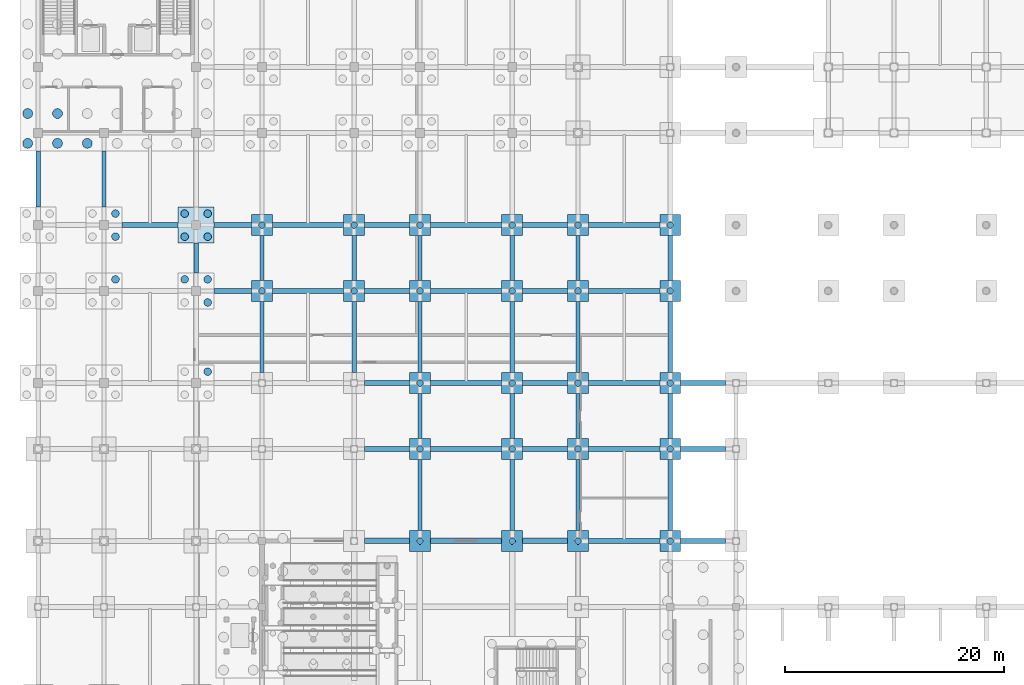
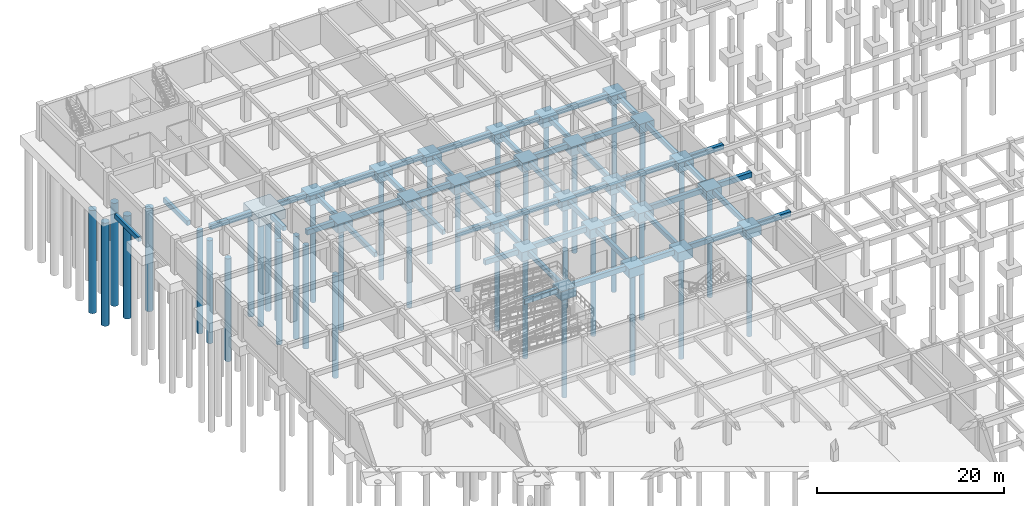
# One storey, part 7 of 40: 76 footings, 40 piles.
"""IFC4 building model written with IfcOpenShell, lengths in metres."""

from ifc_helpers import new_model, si_unit, direction, frame, origin, origin_2d, place, context, subcontext, project, spatial, rectangle, circle, extrude, material, material_profile, profile_set, type_object, element, save


model = new_model("IFC4")

# Units and contexts
model_context = context("Model", 3, precision=1e-05, world=origin(), true_north=direction((0.0, 1.0)))
body_context = subcontext(model_context, "Body", "Model", "MODEL_VIEW")
ifc_project = project(units=[si_unit("LENGTHUNIT", "METRE"), si_unit("AREAUNIT", "SQUARE_METRE"), si_unit("VOLUMEUNIT", "CUBIC_METRE"), si_unit("PLANEANGLEUNIT", "RADIAN"), si_unit("MASSUNIT", "GRAM", prefix="KILO"), si_unit("THERMODYNAMICTEMPERATUREUNIT", "KELVIN")], contexts=[model_context])

# Site, building, storey
site_placement = place(None, origin())
site = spatial("IfcSite", under=ifc_project, at=site_placement, CompositionType="ELEMENT")
building_placement = place(site_placement, origin())
building = spatial("IfcBuilding", under=site, at=building_placement, Name="Thalorik Housing Commons", CompositionType="ELEMENT")
storey_placement = place(building_placement, frame((0.0, 0.0, -4.199951171875)))
storey = spatial("IfcBuildingStorey", under=building, at=storey_placement, Name="B1", CompositionType="ELEMENT", Elevation=-4.199951171875)

# Footings
ifc_material = material(Name="Concrete C40/50", Category="concrete")
footing_type_1 = type_object("IfcFootingType", Name="STR-CAP-1900x1900", PredefinedType="PILE_CAP", material=ifc_material)
for number, where, z_axis, x_axis, name in (
    (1, (43.199951171875, 72.0, -1.64990234375), (0.0, 0.0, 1.0), (1.0, 0.0, 0.0), "B1 Pile Cap 165"),
    (2, (51.60009765625, 72.0, -1.64990234375), (0.0, 0.0, 1.0), (1.0, 0.0, 0.0), "B1 Pile Cap 166"),
    (3, (57.60009765625, 72.0, -1.64990234375), (0.0, 0.0, 1.0), (1.0, 0.0, 0.0), "B1 Pile Cap 167"),
    (4, (66.0, 72.0, -1.64990234375), (0.0, 0.0, 1.0), (1.0, 0.0, 0.0), "B1 Pile Cap 168"),
    (5, (43.199951171875, 80.39990234375, -1.64990234375), (0.0, 0.0, 1.0), (1.0, 0.0, 0.0), "B1 Pile Cap 181"),
    (6, (51.60009765625, 80.39990234375, -1.64990234375), (0.0, 0.0, 1.0), (1.0, 0.0, 0.0), "B1 Pile Cap 182"),
    (7, (57.60009765625, 80.39990234375, -1.64990234375), (0.0, 0.0, 1.0), (1.0, 0.0, 0.0), "B1 Pile Cap 183"),
    (8, (66.0, 80.39990234375, -1.64990234375), (0.0, 0.0, 1.0), (1.0, 0.0, 0.0), "B1 Pile Cap 184"),
    (9, (43.199951171875, 86.39990234375, -1.64990234375), (0.0, 0.0, 1.0), (1.0, 0.0, 0.0), "B1 Pile Cap 197"),
    (10, (51.60009765625, 86.39990234375, -1.64990234375), (0.0, 0.0, 1.0), (1.0, 0.0, 0.0), "B1 Pile Cap 198"),
    (11, (57.60009765625, 86.39990234375, -1.64990234375), (0.0, 0.0, 1.0), (1.0, 0.0, 0.0), "B1 Pile Cap 199"),
    (12, (66.0, 86.39990234375, -1.64990234375), (0.0, 0.0, 1.0), (1.0, 0.0, 0.0), "B1 Pile Cap 200"),
    (13, (28.800048828125, 94.800048828125, -1.64990234375), (0.0, 0.0, 1.0), (1.0, 0.0, 0.0), "B1 Pile Cap 215"),
    (14, (37.199951171875, 94.800048828125, -1.64990234375), (0.0, 0.0, 1.0), (1.0, 0.0, 0.0), "B1 Pile Cap 216"),
    (15, (43.199951171875, 94.800048828125, -1.64990234375), (0.0, 0.0, 1.0), (1.0, 0.0, 0.0), "B1 Pile Cap 217"),
    (16, (51.60009765625, 94.800048828125, -1.64990234375), (0.0, 0.0, 1.0), (1.0, 0.0, 0.0), "B1 Pile Cap 218"),
    (17, (57.60009765625, 94.800048828125, -1.64990234375), (0.0, 0.0, 1.0), (1.0, 0.0, 0.0), "B1 Pile Cap 219"),
    (18, (66.0, 94.800048828125, -1.64990234375), (0.0, 0.0, 1.0), (1.0, 0.0, 0.0), "B1 Pile Cap 220"),
    (19, (28.800048828125, 100.800048828125, -1.64990234375), (0.0, 0.0, 1.0), (1.0, 0.0, 0.0), "B1 Pile Cap 228"),
    (20, (37.199951171875, 100.800048828125, -1.64990234375), (0.0, 0.0, 1.0), (1.0, 0.0, 0.0), "B1 Pile Cap 229"),
    (21, (43.199951171875, 100.800048828125, -1.64990234375), (0.0, 0.0, 1.0), (1.0, 0.0, 0.0), "B1 Pile Cap 230"),
    (22, (51.60009765625, 100.800048828125, -1.64990234375), (0.0, 0.0, 1.0), (1.0, 0.0, 0.0), "B1 Pile Cap 231"),
    (23, (57.60009765625, 100.800048828125, -1.64990234375), (0.0, 0.0, 1.0), (1.0, 0.0, 0.0), "B1 Pile Cap 232"),
    (24, (66.0, 100.800048828125, -1.64990234375), (0.0, 0.0, 1.0), (1.0, 0.0, 0.0), "B1 Pile Cap 233"),
):
    element("IfcFooting", number, at=place(storey_placement, frame(where, z_axis=z_axis, x_axis=x_axis)), inside=storey, type_object=footing_type_1, Name=name, PredefinedType="PILE_CAP", context=body_context, shape_type="SweptSolid", body=[
        extrude(rectangle(XDim=1.89990234375, YDim=1.89990234375, at=origin_2d()), origin(), (0.0, 0.0, 1.0), 1.199951171875),
    ])
footing_type_2 = type_object("IfcFootingType", Name="STR-CAP-3300x3300", PredefinedType="PILE_CAP", material=ifc_material)
footing_1_placement = place(storey_placement, frame((22.800048828125, 100.800048828125, -1.64990234375), z_axis=(0.0, 0.0, 1.0), x_axis=(1.0, 0.0, 0.0)))
element("IfcFooting", 25, at=footing_1_placement, inside=storey, type_object=footing_type_2, Name="B1 Pile Cap 223", PredefinedType="PILE_CAP", context=body_context, shape_type="SweptSolid", body=[
    extrude(rectangle(XDim=3.300048828125, YDim=3.300048828125, at=origin_2d()), origin(), (0.0, 0.0, 1.0), 1.199951171875),
])
ifc_material_profile_1 = material_profile(ifc_material, rectangle(XDim=0.39990234375, YDim=0.60009765625, at=origin_2d()), Name="RC 400x600", Category="concrete")
ifc_profile_set_1 = profile_set([ifc_material_profile_1], Name="Concrete C40/50")
footing_type_3 = type_object("IfcFootingType", Name="STR-GB-400", PredefinedType="FOOTING_BEAM", material=ifc_profile_set_1)
for number, where, z_axis, x_axis, name in (
    (26, (8.39990234375, 102.449951171875, -0.75), (0.0, 1.0, 0.0), (-1.0, 0.0, 0.0), "B1 Ground Tie-Beam Y 274"),
    (27, (14.39990234375, 102.449951171875, -0.75), (0.0, 1.0, 0.0), (-1.0, 0.0, 0.0), "B1 Ground Tie-Beam Y 286"),
):
    element("IfcFooting", number, at=place(storey_placement, frame(where, z_axis=z_axis, x_axis=x_axis)), inside=storey, type_object=footing_type_3, Name=name, PredefinedType="FOOTING_BEAM", context=body_context, shape_type="SweptSolid", body=[
        extrude(rectangle(XDim=0.39990234375, YDim=0.60009765625, at=origin_2d()), origin(), (0.0, 0.0, 1.0), 5.10009765625),
    ])
footing_2_placement = place(storey_placement, frame((22.800048828125, 96.449951171875, -0.75), z_axis=(0.0, 1.0, 0.0), x_axis=(-1.0, 0.0, 0.0)))
element("IfcFooting", 28, at=footing_2_placement, inside=storey, type_object=footing_type_3, Name="B1 Ground Tie-Beam Y 297", PredefinedType="FOOTING_BEAM", context=body_context, shape_type="SweptSolid", body=[
    extrude(rectangle(XDim=0.39990234375, YDim=0.60009765625, at=origin_2d()), origin(), (0.0, 0.0, 1.0), 2.699951171875),
])
footing_3_placement = place(storey_placement, frame((28.800048828125, 87.35009765625, -0.75), z_axis=(0.0, 1.0, 0.0), x_axis=(-1.0, 0.0, 0.0)))
element("IfcFooting", 29, at=footing_3_placement, inside=storey, type_object=footing_type_3, Name="B1 Ground Tie-Beam Y 309", PredefinedType="FOOTING_BEAM", context=body_context, shape_type="SweptSolid", body=[
    extrude(rectangle(XDim=0.39990234375, YDim=0.60009765625, at=origin_2d()), origin(), (0.0, 0.0, 1.0), 6.5),
])
footing_4_placement = place(storey_placement, frame((28.800048828125, 95.75, -0.75), z_axis=(0.0, 1.0, 0.0), x_axis=(-1.0, 0.0, 0.0)))
element("IfcFooting", 30, at=footing_4_placement, inside=storey, type_object=footing_type_3, Name="B1 Ground Tie-Beam Y 310", PredefinedType="FOOTING_BEAM", context=body_context, shape_type="SweptSolid", body=[
    extrude(rectangle(XDim=0.39990234375, YDim=0.60009765625, at=origin_2d()), origin(), (0.0, 0.0, 1.0), 4.10009765625),
])
footing_5_placement = place(storey_placement, frame((37.199951171875, 87.35009765625, -0.75), z_axis=(0.0, 1.0, 0.0), x_axis=(-1.0, 0.0, 0.0)))
element("IfcFooting", 31, at=footing_5_placement, inside=storey, type_object=footing_type_3, Name="B1 Ground Tie-Beam Y 324", PredefinedType="FOOTING_BEAM", context=body_context, shape_type="SweptSolid", body=[
    extrude(rectangle(XDim=0.39990234375, YDim=0.60009765625, at=origin_2d()), origin(), (0.0, 0.0, 1.0), 6.5),
])
footing_6_placement = place(storey_placement, frame((37.199951171875, 95.75, -0.75), z_axis=(0.0, 1.0, 0.0), x_axis=(-1.0, 0.0, 0.0)))
element("IfcFooting", 32, at=footing_6_placement, inside=storey, type_object=footing_type_3, Name="B1 Ground Tie-Beam Y 325", PredefinedType="FOOTING_BEAM", context=body_context, shape_type="SweptSolid", body=[
    extrude(rectangle(XDim=0.39990234375, YDim=0.60009765625, at=origin_2d()), origin(), (0.0, 0.0, 1.0), 4.10009765625),
])
footing_7_placement = place(storey_placement, frame((43.199951171875, 72.949951171875, -0.75), z_axis=(0.0, 1.0, 0.0), x_axis=(-1.0, 0.0, 0.0)))
element("IfcFooting", 33, at=footing_7_placement, inside=storey, type_object=footing_type_3, Name="B1 Ground Tie-Beam Y 337", PredefinedType="FOOTING_BEAM", context=body_context, shape_type="SweptSolid", body=[
    extrude(rectangle(XDim=0.39990234375, YDim=0.60009765625, at=origin_2d()), origin(), (0.0, 0.0, 1.0), 6.5),
])
footing_8_placement = place(storey_placement, frame((43.199951171875, 81.35009765625, -0.75), z_axis=(0.0, 1.0, 0.0), x_axis=(-1.0, 0.0, 0.0)))
element("IfcFooting", 34, at=footing_8_placement, inside=storey, type_object=footing_type_3, Name="B1 Ground Tie-Beam Y 338", PredefinedType="FOOTING_BEAM", context=body_context, shape_type="SweptSolid", body=[
    extrude(rectangle(XDim=0.39990234375, YDim=0.60009765625, at=origin_2d()), origin(), (0.0, 0.0, 1.0), 4.099853515625),
])
footing_9_placement = place(storey_placement, frame((43.199951171875, 87.35009765625, -0.75), z_axis=(0.0, 1.0, 0.0), x_axis=(-1.0, 0.0, 0.0)))
element("IfcFooting", 35, at=footing_9_placement, inside=storey, type_object=footing_type_3, Name="B1 Ground Tie-Beam Y 339", PredefinedType="FOOTING_BEAM", context=body_context, shape_type="SweptSolid", body=[
    extrude(rectangle(XDim=0.39990234375, YDim=0.60009765625, at=origin_2d()), origin(), (0.0, 0.0, 1.0), 6.5),
])
footing_10_placement = place(storey_placement, frame((43.199951171875, 95.75, -0.75), z_axis=(0.0, 1.0, 0.0), x_axis=(-1.0, 0.0, 0.0)))
element("IfcFooting", 36, at=footing_10_placement, inside=storey, type_object=footing_type_3, Name="B1 Ground Tie-Beam Y 340", PredefinedType="FOOTING_BEAM", context=body_context, shape_type="SweptSolid", body=[
    extrude(rectangle(XDim=0.39990234375, YDim=0.60009765625, at=origin_2d()), origin(), (0.0, 0.0, 1.0), 4.10009765625),
])
footing_11_placement = place(storey_placement, frame((51.60009765625, 72.949951171875, -0.75), z_axis=(0.0, 1.0, 0.0), x_axis=(-1.0, 0.0, 0.0)))
element("IfcFooting", 37, at=footing_11_placement, inside=storey, type_object=footing_type_3, Name="B1 Ground Tie-Beam Y 352", PredefinedType="FOOTING_BEAM", context=body_context, shape_type="SweptSolid", body=[
    extrude(rectangle(XDim=0.39990234375, YDim=0.60009765625, at=origin_2d()), origin(), (0.0, 0.0, 1.0), 6.5),
])
footing_12_placement = place(storey_placement, frame((51.60009765625, 81.35009765625, -0.75), z_axis=(0.0, 1.0, 0.0), x_axis=(-1.0, 0.0, 0.0)))
element("IfcFooting", 38, at=footing_12_placement, inside=storey, type_object=footing_type_3, Name="B1 Ground Tie-Beam Y 353", PredefinedType="FOOTING_BEAM", context=body_context, shape_type="SweptSolid", body=[
    extrude(rectangle(XDim=0.39990234375, YDim=0.60009765625, at=origin_2d()), origin(), (0.0, 0.0, 1.0), 4.099853515625),
])
footing_13_placement = place(storey_placement, frame((51.60009765625, 87.35009765625, -0.75), z_axis=(0.0, 1.0, 0.0), x_axis=(-1.0, 0.0, 0.0)))
element("IfcFooting", 39, at=footing_13_placement, inside=storey, type_object=footing_type_3, Name="B1 Ground Tie-Beam Y 354", PredefinedType="FOOTING_BEAM", context=body_context, shape_type="SweptSolid", body=[
    extrude(rectangle(XDim=0.39990234375, YDim=0.60009765625, at=origin_2d()), origin(), (0.0, 0.0, 1.0), 6.5),
])
footing_14_placement = place(storey_placement, frame((51.60009765625, 95.75, -0.75), z_axis=(0.0, 1.0, 0.0), x_axis=(-1.0, 0.0, 0.0)))
element("IfcFooting", 40, at=footing_14_placement, inside=storey, type_object=footing_type_3, Name="B1 Ground Tie-Beam Y 355", PredefinedType="FOOTING_BEAM", context=body_context, shape_type="SweptSolid", body=[
    extrude(rectangle(XDim=0.39990234375, YDim=0.60009765625, at=origin_2d()), origin(), (0.0, 0.0, 1.0), 4.10009765625),
])
footing_15_placement = place(storey_placement, frame((57.60009765625, 72.949951171875, -0.75), z_axis=(0.0, 1.0, 0.0), x_axis=(-1.0, 0.0, 0.0)))
element("IfcFooting", 41, at=footing_15_placement, inside=storey, type_object=footing_type_3, Name="B1 Ground Tie-Beam Y 368", PredefinedType="FOOTING_BEAM", context=body_context, shape_type="SweptSolid", body=[
    extrude(rectangle(XDim=0.39990234375, YDim=0.60009765625, at=origin_2d()), origin(), (0.0, 0.0, 1.0), 6.5),
])
footing_16_placement = place(storey_placement, frame((57.60009765625, 81.35009765625, -0.75), z_axis=(0.0, 1.0, 0.0), x_axis=(-1.0, 0.0, 0.0)))
element("IfcFooting", 42, at=footing_16_placement, inside=storey, type_object=footing_type_3, Name="B1 Ground Tie-Beam Y 369", PredefinedType="FOOTING_BEAM", context=body_context, shape_type="SweptSolid", body=[
    extrude(rectangle(XDim=0.39990234375, YDim=0.60009765625, at=origin_2d()), origin(), (0.0, 0.0, 1.0), 4.099853515625),
])
footing_17_placement = place(storey_placement, frame((57.60009765625, 87.35009765625, -0.75), z_axis=(0.0, 1.0, 0.0), x_axis=(-1.0, 0.0, 0.0)))
element("IfcFooting", 43, at=footing_17_placement, inside=storey, type_object=footing_type_3, Name="B1 Ground Tie-Beam Y 370", PredefinedType="FOOTING_BEAM", context=body_context, shape_type="SweptSolid", body=[
    extrude(rectangle(XDim=0.39990234375, YDim=0.60009765625, at=origin_2d()), origin(), (0.0, 0.0, 1.0), 6.5),
])
footing_18_placement = place(storey_placement, frame((57.60009765625, 95.75, -0.75), z_axis=(0.0, 1.0, 0.0), x_axis=(-1.0, 0.0, 0.0)))
element("IfcFooting", 44, at=footing_18_placement, inside=storey, type_object=footing_type_3, Name="B1 Ground Tie-Beam Y 371", PredefinedType="FOOTING_BEAM", context=body_context, shape_type="SweptSolid", body=[
    extrude(rectangle(XDim=0.39990234375, YDim=0.60009765625, at=origin_2d()), origin(), (0.0, 0.0, 1.0), 4.10009765625),
])
footing_19_placement = place(storey_placement, frame((66.0, 72.949951171875, -0.75), z_axis=(0.0, 1.0, 0.0), x_axis=(-1.0, 0.0, 0.0)))
element("IfcFooting", 45, at=footing_19_placement, inside=storey, type_object=footing_type_3, Name="B1 Ground Tie-Beam Y 382", PredefinedType="FOOTING_BEAM", context=body_context, shape_type="SweptSolid", body=[
    extrude(rectangle(XDim=0.39990234375, YDim=0.60009765625, at=origin_2d()), origin(), (0.0, 0.0, 1.0), 6.5),
])
footing_20_placement = place(storey_placement, frame((66.0, 81.35009765625, -0.75), z_axis=(0.0, 1.0, 0.0), x_axis=(-1.0, 0.0, 0.0)))
element("IfcFooting", 46, at=footing_20_placement, inside=storey, type_object=footing_type_3, Name="B1 Ground Tie-Beam Y 383", PredefinedType="FOOTING_BEAM", context=body_context, shape_type="SweptSolid", body=[
    extrude(rectangle(XDim=0.39990234375, YDim=0.60009765625, at=origin_2d()), origin(), (0.0, 0.0, 1.0), 4.099853515625),
])
footing_21_placement = place(storey_placement, frame((66.0, 87.35009765625, -0.75), z_axis=(0.0, 1.0, 0.0), x_axis=(-1.0, 0.0, 0.0)))
element("IfcFooting", 47, at=footing_21_placement, inside=storey, type_object=footing_type_3, Name="B1 Ground Tie-Beam Y 384", PredefinedType="FOOTING_BEAM", context=body_context, shape_type="SweptSolid", body=[
    extrude(rectangle(XDim=0.39990234375, YDim=0.60009765625, at=origin_2d()), origin(), (0.0, 0.0, 1.0), 6.5),
])
footing_22_placement = place(storey_placement, frame((66.0, 95.75, -0.75), z_axis=(0.0, 1.0, 0.0), x_axis=(-1.0, 0.0, 0.0)))
element("IfcFooting", 48, at=footing_22_placement, inside=storey, type_object=footing_type_3, Name="B1 Ground Tie-Beam Y 385", PredefinedType="FOOTING_BEAM", context=body_context, shape_type="SweptSolid", body=[
    extrude(rectangle(XDim=0.39990234375, YDim=0.60009765625, at=origin_2d()), origin(), (0.0, 0.0, 1.0), 4.10009765625),
])
ifc_material_profile_2 = material_profile(ifc_material, rectangle(XDim=0.449951171875, YDim=0.64990234375, at=origin_2d()), Name="RC 450x650", Category="concrete")
ifc_profile_set_2 = profile_set([ifc_material_profile_2], Name="Concrete C40/50")
footing_type_4 = type_object("IfcFootingType", Name="STR-GB-500", PredefinedType="FOOTING_BEAM", material=ifc_profile_set_2)
footing_23_placement = place(storey_placement, frame((38.14990234375, 72.0, -0.775146484375), z_axis=(1.0, 0.0, 0.0), x_axis=(0.0, 1.0, 0.0)))
element("IfcFooting", 49, at=footing_23_placement, inside=storey, type_object=footing_type_4, Name="B1 Ground Tie-Beam X 147", PredefinedType="FOOTING_BEAM", context=body_context, shape_type="SweptSolid", body=[
    extrude(rectangle(XDim=0.449951171875, YDim=0.64990234375, at=origin_2d()), origin(), (0.0, 0.0, 1.0), 4.10009765625),
])
footing_24_placement = place(storey_placement, frame((44.14990234375, 72.0, -0.775146484375), z_axis=(1.0, 0.0, 0.0), x_axis=(0.0, 1.0, 0.0)))
element("IfcFooting", 50, at=footing_24_placement, inside=storey, type_object=footing_type_4, Name="B1 Ground Tie-Beam X 148", PredefinedType="FOOTING_BEAM", context=body_context, shape_type="SweptSolid", body=[
    extrude(rectangle(XDim=0.449951171875, YDim=0.64990234375, at=origin_2d()), origin(), (0.0, 0.0, 1.0), 6.5),
])
footing_25_placement = place(storey_placement, frame((52.550048828125, 72.0, -0.775146484375), z_axis=(1.0, 0.0, 0.0), x_axis=(0.0, 1.0, 0.0)))
element("IfcFooting", 51, at=footing_25_placement, inside=storey, type_object=footing_type_4, Name="B1 Ground Tie-Beam X 149", PredefinedType="FOOTING_BEAM", context=body_context, shape_type="SweptSolid", body=[
    extrude(rectangle(XDim=0.449951171875, YDim=0.64990234375, at=origin_2d()), origin(), (0.0, 0.0, 1.0), 4.099853515625),
])
footing_26_placement = place(storey_placement, frame((58.550048828125, 72.0, -0.775146484375), z_axis=(1.0, 0.0, 0.0), x_axis=(0.0, 1.0, 0.0)))
element("IfcFooting", 52, at=footing_26_placement, inside=storey, type_object=footing_type_4, Name="B1 Ground Tie-Beam X 150", PredefinedType="FOOTING_BEAM", context=body_context, shape_type="SweptSolid", body=[
    extrude(rectangle(XDim=0.449951171875, YDim=0.64990234375, at=origin_2d()), origin(), (0.0, 0.0, 1.0), 6.5),
])
for number, where, z_axis, x_axis, name in (
    (53, (66.949951171875, 72.0, -0.775146484375), (1.0, 0.0, 0.0), (0.0, 1.0, 0.0), "B1 Ground Tie-Beam X 151"),
    (54, (38.14990234375, 80.39990234375, -0.775146484375), (1.0, 0.0, 0.0), (0.0, 1.0, 0.0), "B1 Ground Tie-Beam X 160"),
):
    element("IfcFooting", number, at=place(storey_placement, frame(where, z_axis=z_axis, x_axis=x_axis)), inside=storey, type_object=footing_type_4, Name=name, PredefinedType="FOOTING_BEAM", context=body_context, shape_type="SweptSolid", body=[
        extrude(rectangle(XDim=0.449951171875, YDim=0.64990234375, at=origin_2d()), origin(), (0.0, 0.0, 1.0), 4.10009765625),
    ])
footing_27_placement = place(storey_placement, frame((44.14990234375, 80.39990234375, -0.775146484375), z_axis=(1.0, 0.0, 0.0), x_axis=(0.0, 1.0, 0.0)))
element("IfcFooting", 55, at=footing_27_placement, inside=storey, type_object=footing_type_4, Name="B1 Ground Tie-Beam X 161", PredefinedType="FOOTING_BEAM", context=body_context, shape_type="SweptSolid", body=[
    extrude(rectangle(XDim=0.449951171875, YDim=0.64990234375, at=origin_2d()), origin(), (0.0, 0.0, 1.0), 6.5),
])
footing_28_placement = place(storey_placement, frame((52.550048828125, 80.39990234375, -0.775146484375), z_axis=(1.0, 0.0, 0.0), x_axis=(0.0, 1.0, 0.0)))
element("IfcFooting", 56, at=footing_28_placement, inside=storey, type_object=footing_type_4, Name="B1 Ground Tie-Beam X 162", PredefinedType="FOOTING_BEAM", context=body_context, shape_type="SweptSolid", body=[
    extrude(rectangle(XDim=0.449951171875, YDim=0.64990234375, at=origin_2d()), origin(), (0.0, 0.0, 1.0), 4.099853515625),
])
footing_29_placement = place(storey_placement, frame((58.550048828125, 80.39990234375, -0.775146484375), z_axis=(1.0, 0.0, 0.0), x_axis=(0.0, 1.0, 0.0)))
element("IfcFooting", 57, at=footing_29_placement, inside=storey, type_object=footing_type_4, Name="B1 Ground Tie-Beam X 163", PredefinedType="FOOTING_BEAM", context=body_context, shape_type="SweptSolid", body=[
    extrude(rectangle(XDim=0.449951171875, YDim=0.64990234375, at=origin_2d()), origin(), (0.0, 0.0, 1.0), 6.5),
])
for number, where, z_axis, x_axis, name in (
    (58, (66.949951171875, 80.39990234375, -0.775146484375), (1.0, 0.0, 0.0), (0.0, 1.0, 0.0), "B1 Ground Tie-Beam X 164"),
    (59, (38.14990234375, 86.39990234375, -0.775146484375), (1.0, 0.0, 0.0), (0.0, 1.0, 0.0), "B1 Ground Tie-Beam X 173"),
):
    element("IfcFooting", number, at=place(storey_placement, frame(where, z_axis=z_axis, x_axis=x_axis)), inside=storey, type_object=footing_type_4, Name=name, PredefinedType="FOOTING_BEAM", context=body_context, shape_type="SweptSolid", body=[
        extrude(rectangle(XDim=0.449951171875, YDim=0.64990234375, at=origin_2d()), origin(), (0.0, 0.0, 1.0), 4.10009765625),
    ])
footing_30_placement = place(storey_placement, frame((44.14990234375, 86.39990234375, -0.775146484375), z_axis=(1.0, 0.0, 0.0), x_axis=(0.0, 1.0, 0.0)))
element("IfcFooting", 60, at=footing_30_placement, inside=storey, type_object=footing_type_4, Name="B1 Ground Tie-Beam X 174", PredefinedType="FOOTING_BEAM", context=body_context, shape_type="SweptSolid", body=[
    extrude(rectangle(XDim=0.449951171875, YDim=0.64990234375, at=origin_2d()), origin(), (0.0, 0.0, 1.0), 6.5),
])
footing_31_placement = place(storey_placement, frame((52.550048828125, 86.39990234375, -0.775146484375), z_axis=(1.0, 0.0, 0.0), x_axis=(0.0, 1.0, 0.0)))
element("IfcFooting", 61, at=footing_31_placement, inside=storey, type_object=footing_type_4, Name="B1 Ground Tie-Beam X 175", PredefinedType="FOOTING_BEAM", context=body_context, shape_type="SweptSolid", body=[
    extrude(rectangle(XDim=0.449951171875, YDim=0.64990234375, at=origin_2d()), origin(), (0.0, 0.0, 1.0), 4.099853515625),
])
footing_32_placement = place(storey_placement, frame((58.550048828125, 86.39990234375, -0.775146484375), z_axis=(1.0, 0.0, 0.0), x_axis=(0.0, 1.0, 0.0)))
element("IfcFooting", 62, at=footing_32_placement, inside=storey, type_object=footing_type_4, Name="B1 Ground Tie-Beam X 176", PredefinedType="FOOTING_BEAM", context=body_context, shape_type="SweptSolid", body=[
    extrude(rectangle(XDim=0.449951171875, YDim=0.64990234375, at=origin_2d()), origin(), (0.0, 0.0, 1.0), 6.5),
])
footing_33_placement = place(storey_placement, frame((66.949951171875, 86.39990234375, -0.775146484375), z_axis=(1.0, 0.0, 0.0), x_axis=(0.0, 1.0, 0.0)))
element("IfcFooting", 63, at=footing_33_placement, inside=storey, type_object=footing_type_4, Name="B1 Ground Tie-Beam X 177", PredefinedType="FOOTING_BEAM", context=body_context, shape_type="SweptSolid", body=[
    extrude(rectangle(XDim=0.449951171875, YDim=0.64990234375, at=origin_2d()), origin(), (0.0, 0.0, 1.0), 4.10009765625),
])
footing_34_placement = place(storey_placement, frame((24.449951171875, 94.800048828125, -0.775146484375), z_axis=(1.0, 0.0, 0.0), x_axis=(0.0, 1.0, 0.0)))
element("IfcFooting", 64, at=footing_34_placement, inside=storey, type_object=footing_type_4, Name="B1 Ground Tie-Beam X 189", PredefinedType="FOOTING_BEAM", context=body_context, shape_type="SweptSolid", body=[
    extrude(rectangle(XDim=0.449951171875, YDim=0.64990234375, at=origin_2d()), origin(), (0.0, 0.0, 1.0), 3.400146484375),
])
footing_35_placement = place(storey_placement, frame((29.75, 94.800048828125, -0.775146484375), z_axis=(1.0, 0.0, 0.0), x_axis=(0.0, 1.0, 0.0)))
element("IfcFooting", 65, at=footing_35_placement, inside=storey, type_object=footing_type_4, Name="B1 Ground Tie-Beam X 190", PredefinedType="FOOTING_BEAM", context=body_context, shape_type="SweptSolid", body=[
    extrude(rectangle(XDim=0.449951171875, YDim=0.64990234375, at=origin_2d()), origin(), (0.0, 0.0, 1.0), 6.5),
])
footing_36_placement = place(storey_placement, frame((38.14990234375, 94.800048828125, -0.775146484375), z_axis=(1.0, 0.0, 0.0), x_axis=(0.0, 1.0, 0.0)))
element("IfcFooting", 66, at=footing_36_placement, inside=storey, type_object=footing_type_4, Name="B1 Ground Tie-Beam X 191", PredefinedType="FOOTING_BEAM", context=body_context, shape_type="SweptSolid", body=[
    extrude(rectangle(XDim=0.449951171875, YDim=0.64990234375, at=origin_2d()), origin(), (0.0, 0.0, 1.0), 4.10009765625),
])
footing_37_placement = place(storey_placement, frame((44.14990234375, 94.800048828125, -0.775146484375), z_axis=(1.0, 0.0, 0.0), x_axis=(0.0, 1.0, 0.0)))
element("IfcFooting", 67, at=footing_37_placement, inside=storey, type_object=footing_type_4, Name="B1 Ground Tie-Beam X 192", PredefinedType="FOOTING_BEAM", context=body_context, shape_type="SweptSolid", body=[
    extrude(rectangle(XDim=0.449951171875, YDim=0.64990234375, at=origin_2d()), origin(), (0.0, 0.0, 1.0), 6.5),
])
footing_38_placement = place(storey_placement, frame((52.550048828125, 94.800048828125, -0.775146484375), z_axis=(1.0, 0.0, 0.0), x_axis=(0.0, 1.0, 0.0)))
element("IfcFooting", 68, at=footing_38_placement, inside=storey, type_object=footing_type_4, Name="B1 Ground Tie-Beam X 193", PredefinedType="FOOTING_BEAM", context=body_context, shape_type="SweptSolid", body=[
    extrude(rectangle(XDim=0.449951171875, YDim=0.64990234375, at=origin_2d()), origin(), (0.0, 0.0, 1.0), 4.099853515625),
])
footing_39_placement = place(storey_placement, frame((58.550048828125, 94.800048828125, -0.775146484375), z_axis=(1.0, 0.0, 0.0), x_axis=(0.0, 1.0, 0.0)))
element("IfcFooting", 69, at=footing_39_placement, inside=storey, type_object=footing_type_4, Name="B1 Ground Tie-Beam X 194", PredefinedType="FOOTING_BEAM", context=body_context, shape_type="SweptSolid", body=[
    extrude(rectangle(XDim=0.449951171875, YDim=0.64990234375, at=origin_2d()), origin(), (0.0, 0.0, 1.0), 6.5),
])
footing_40_placement = place(storey_placement, frame((16.050048828125, 100.800048828125, -0.775146484375), z_axis=(1.0, 0.0, 0.0), x_axis=(0.0, 1.0, 0.0)))
element("IfcFooting", 70, at=footing_40_placement, inside=storey, type_object=footing_type_4, Name="B1 Ground Tie-Beam X 199", PredefinedType="FOOTING_BEAM", context=body_context, shape_type="SweptSolid", body=[
    extrude(rectangle(XDim=0.449951171875, YDim=0.64990234375, at=origin_2d()), origin(), (0.0, 0.0, 1.0), 5.099853515625),
])
footing_41_placement = place(storey_placement, frame((24.449951171875, 100.800048828125, -0.775146484375), z_axis=(1.0, 0.0, 0.0), x_axis=(0.0, 1.0, 0.0)))
element("IfcFooting", 71, at=footing_41_placement, inside=storey, type_object=footing_type_4, Name="B1 Ground Tie-Beam X 200", PredefinedType="FOOTING_BEAM", context=body_context, shape_type="SweptSolid", body=[
    extrude(rectangle(XDim=0.449951171875, YDim=0.64990234375, at=origin_2d()), origin(), (0.0, 0.0, 1.0), 3.400146484375),
])
footing_42_placement = place(storey_placement, frame((29.75, 100.800048828125, -0.775146484375), z_axis=(1.0, 0.0, 0.0), x_axis=(0.0, 1.0, 0.0)))
element("IfcFooting", 72, at=footing_42_placement, inside=storey, type_object=footing_type_4, Name="B1 Ground Tie-Beam X 201", PredefinedType="FOOTING_BEAM", context=body_context, shape_type="SweptSolid", body=[
    extrude(rectangle(XDim=0.449951171875, YDim=0.64990234375, at=origin_2d()), origin(), (0.0, 0.0, 1.0), 6.5),
])
footing_43_placement = place(storey_placement, frame((38.14990234375, 100.800048828125, -0.775146484375), z_axis=(1.0, 0.0, 0.0), x_axis=(0.0, 1.0, 0.0)))
element("IfcFooting", 73, at=footing_43_placement, inside=storey, type_object=footing_type_4, Name="B1 Ground Tie-Beam X 202", PredefinedType="FOOTING_BEAM", context=body_context, shape_type="SweptSolid", body=[
    extrude(rectangle(XDim=0.449951171875, YDim=0.64990234375, at=origin_2d()), origin(), (0.0, 0.0, 1.0), 4.10009765625),
])
footing_44_placement = place(storey_placement, frame((44.14990234375, 100.800048828125, -0.775146484375), z_axis=(1.0, 0.0, 0.0), x_axis=(0.0, 1.0, 0.0)))
element("IfcFooting", 74, at=footing_44_placement, inside=storey, type_object=footing_type_4, Name="B1 Ground Tie-Beam X 203", PredefinedType="FOOTING_BEAM", context=body_context, shape_type="SweptSolid", body=[
    extrude(rectangle(XDim=0.449951171875, YDim=0.64990234375, at=origin_2d()), origin(), (0.0, 0.0, 1.0), 6.5),
])
footing_45_placement = place(storey_placement, frame((52.550048828125, 100.800048828125, -0.775146484375), z_axis=(1.0, 0.0, 0.0), x_axis=(0.0, 1.0, 0.0)))
element("IfcFooting", 75, at=footing_45_placement, inside=storey, type_object=footing_type_4, Name="B1 Ground Tie-Beam X 204", PredefinedType="FOOTING_BEAM", context=body_context, shape_type="SweptSolid", body=[
    extrude(rectangle(XDim=0.449951171875, YDim=0.64990234375, at=origin_2d()), origin(), (0.0, 0.0, 1.0), 4.099853515625),
])
footing_46_placement = place(storey_placement, frame((58.550048828125, 100.800048828125, -0.775146484375), z_axis=(1.0, 0.0, 0.0), x_axis=(0.0, 1.0, 0.0)))
element("IfcFooting", 76, at=footing_46_placement, inside=storey, type_object=footing_type_4, Name="B1 Ground Tie-Beam X 205", PredefinedType="FOOTING_BEAM", context=body_context, shape_type="SweptSolid", body=[
    extrude(rectangle(XDim=0.449951171875, YDim=0.64990234375, at=origin_2d()), origin(), (0.0, 0.0, 1.0), 6.5),
])

# Piles
ifc_material_profile_3 = material_profile(ifc_material, circle(Radius=0.300048828125, at=origin_2d()), Name="BORED PILE D600", Category="concrete")
ifc_profile_set_3 = profile_set([ifc_material_profile_3], Name="Concrete C40/50")
pile_type_1 = type_object("IfcPileType", Name="STR-PILE-D600", PredefinedType="BORED", material=ifc_profile_set_3)
for number, where, z_axis, x_axis, name in (
    (77, (43.199951171875, 72.0, -1.550048828125), (0.0, 0.0, -1.0), (1.0, 0.0, 0.0), "B1 Bored Pile 402"),
    (78, (51.60009765625, 72.0, -1.550048828125), (0.0, 0.0, -1.0), (1.0, 0.0, 0.0), "B1 Bored Pile 403"),
    (79, (57.60009765625, 72.0, -1.550048828125), (0.0, 0.0, -1.0), (1.0, 0.0, 0.0), "B1 Bored Pile 404"),
    (80, (66.0, 72.0, -1.550048828125), (0.0, 0.0, -1.0), (1.0, 0.0, 0.0), "B1 Bored Pile 405"),
    (81, (43.199951171875, 80.39990234375, -1.550048828125), (0.0, 0.0, -1.0), (1.0, 0.0, 0.0), "B1 Bored Pile 418"),
    (82, (51.60009765625, 80.39990234375, -1.550048828125), (0.0, 0.0, -1.0), (1.0, 0.0, 0.0), "B1 Bored Pile 419"),
    (83, (57.60009765625, 80.39990234375, -1.550048828125), (0.0, 0.0, -1.0), (1.0, 0.0, 0.0), "B1 Bored Pile 420"),
    (84, (66.0, 80.39990234375, -1.550048828125), (0.0, 0.0, -1.0), (1.0, 0.0, 0.0), "B1 Bored Pile 421"),
    (85, (43.199951171875, 86.39990234375, -1.550048828125), (0.0, 0.0, -1.0), (1.0, 0.0, 0.0), "B1 Bored Pile 452"),
    (86, (51.60009765625, 86.39990234375, -1.550048828125), (0.0, 0.0, -1.0), (1.0, 0.0, 0.0), "B1 Bored Pile 453"),
    (87, (57.60009765625, 86.39990234375, -1.550048828125), (0.0, 0.0, -1.0), (1.0, 0.0, 0.0), "B1 Bored Pile 454"),
    (88, (66.0, 86.39990234375, -1.550048828125), (0.0, 0.0, -1.0), (1.0, 0.0, 0.0), "B1 Bored Pile 455"),
    (89, (28.800048828125, 94.800048828125, -1.550048828125), (0.0, 0.0, -1.0), (1.0, 0.0, 0.0), "B1 Bored Pile 488"),
    (90, (37.199951171875, 94.800048828125, -1.550048828125), (0.0, 0.0, -1.0), (1.0, 0.0, 0.0), "B1 Bored Pile 489"),
    (91, (43.199951171875, 94.800048828125, -1.550048828125), (0.0, 0.0, -1.0), (1.0, 0.0, 0.0), "B1 Bored Pile 490"),
    (92, (51.60009765625, 94.800048828125, -1.550048828125), (0.0, 0.0, -1.0), (1.0, 0.0, 0.0), "B1 Bored Pile 491"),
    (93, (57.60009765625, 94.800048828125, -1.550048828125), (0.0, 0.0, -1.0), (1.0, 0.0, 0.0), "B1 Bored Pile 492"),
    (94, (66.0, 94.800048828125, -1.550048828125), (0.0, 0.0, -1.0), (1.0, 0.0, 0.0), "B1 Bored Pile 493"),
    (95, (28.800048828125, 100.800048828125, -1.550048828125), (0.0, 0.0, -1.0), (1.0, 0.0, 0.0), "B1 Bored Pile 519"),
    (96, (37.199951171875, 100.800048828125, -1.550048828125), (0.0, 0.0, -1.0), (1.0, 0.0, 0.0), "B1 Bored Pile 520"),
    (97, (43.199951171875, 100.800048828125, -1.550048828125), (0.0, 0.0, -1.0), (1.0, 0.0, 0.0), "B1 Bored Pile 521"),
    (98, (51.60009765625, 100.800048828125, -1.550048828125), (0.0, 0.0, -1.0), (1.0, 0.0, 0.0), "B1 Bored Pile 522"),
    (99, (57.60009765625, 100.800048828125, -1.550048828125), (0.0, 0.0, -1.0), (1.0, 0.0, 0.0), "B1 Bored Pile 523"),
    (100, (66.0, 100.800048828125, -1.550048828125), (0.0, 0.0, -1.0), (1.0, 0.0, 0.0), "B1 Bored Pile 524"),
):
    element("IfcPile", number, at=place(storey_placement, frame(where, z_axis=z_axis, x_axis=x_axis)), inside=storey, type_object=pile_type_1, Name=name, PredefinedType="BORED", context=body_context, shape_type="SweptSolid", body=[
        extrude(circle(Radius=0.300048828125, at=origin_2d()), origin(), (0.0, 0.0, 1.0), 13.449951171875),
    ])
ifc_material_profile_4 = material_profile(ifc_material, circle(Radius=0.35009765625, at=origin_2d()), Name="BORED PILE D700", Category="concrete")
ifc_profile_set_4 = profile_set([ifc_material_profile_4], Name="Concrete C40/50")
pile_type_2 = type_object("IfcPileType", Name="STR-PILE-D700", PredefinedType="BORED", material=ifc_profile_set_4)
for number, where, z_axis, x_axis, name in (
    (101, (23.85009765625, 87.449951171875, -1.550048828125), (0.0, 0.0, -1.0), (1.0, 0.0, 0.0), "B1 Bored Pile 436"),
    (102, (15.449951171875, 95.85009765625, -1.550048828125), (0.0, 0.0, -1.0), (1.0, 0.0, 0.0), "B1 Bored Pile 470"),
    (103, (21.75, 95.85009765625, -1.550048828125), (0.0, 0.0, -1.0), (1.0, 0.0, 0.0), "B1 Bored Pile 472"),
    (104, (23.85009765625, 93.75, -1.550048828125), (0.0, 0.0, -1.0), (1.0, 0.0, 0.0), "B1 Bored Pile 473"),
    (105, (23.85009765625, 95.85009765625, -1.550048828125), (0.0, 0.0, -1.0), (1.0, 0.0, 0.0), "B1 Bored Pile 474"),
    (106, (15.449951171875, 99.75, -1.550048828125), (0.0, 0.0, -1.0), (1.0, 0.0, 0.0), "B1 Bored Pile 500"),
    (107, (15.449951171875, 101.85009765625, -1.550048828125), (0.0, 0.0, -1.0), (1.0, 0.0, 0.0), "B1 Bored Pile 501"),
    (108, (21.75, 99.75, -1.550048828125), (0.0, 0.0, -1.0), (1.0, 0.0, 0.0), "B1 Bored Pile 502"),
    (109, (21.75, 101.85009765625, -1.550048828125), (0.0, 0.0, -1.0), (1.0, 0.0, 0.0), "B1 Bored Pile 503"),
    (110, (23.85009765625, 99.75, -1.550048828125), (0.0, 0.0, -1.0), (1.0, 0.0, 0.0), "B1 Bored Pile 504"),
    (111, (23.85009765625, 101.85009765625, -1.550048828125), (0.0, 0.0, -1.0), (1.0, 0.0, 0.0), "B1 Bored Pile 505"),
):
    element("IfcPile", number, at=place(storey_placement, frame(where, z_axis=z_axis, x_axis=x_axis)), inside=storey, type_object=pile_type_2, Name=name, PredefinedType="BORED", context=body_context, shape_type="SweptSolid", body=[
        extrude(circle(Radius=0.35009765625, at=origin_2d()), origin(), (0.0, 0.0, 1.0), 13.449951171875),
    ])
ifc_material_profile_5 = material_profile(ifc_material, circle(Radius=0.449951171875, at=origin_2d()), Name="BORED PILE D900", Category="concrete")
ifc_profile_set_5 = profile_set([ifc_material_profile_5], Name="Concrete C40/50")
pile_type_3 = type_object("IfcPileType", Name="STR-PILE-D900", PredefinedType="BORED", material=ifc_profile_set_5)
for number, where, z_axis, x_axis, name in (
    (112, (7.449951171875, 108.25, -1.550048828125), (0.0, 0.0, -1.0), (1.0, 0.0, 0.0), "B1 Bored Pile 525"),
    (113, (7.449951171875, 110.966796875, -1.550048828125), (0.0, 0.0, -1.0), (1.0, 0.0, 0.0), "B1 Bored Pile 526"),
    (114, (10.166748046875, 108.25, -1.550048828125), (0.0, 0.0, -1.0), (1.0, 0.0, 0.0), "B1 Bored Pile 532"),
    (115, (10.166748046875, 110.966796875, -1.550048828125), (0.0, 0.0, -1.0), (1.0, 0.0, 0.0), "B1 Bored Pile 533"),
    (116, (12.88330078125, 108.25, -1.550048828125), (0.0, 0.0, -1.0), (1.0, 0.0, 0.0), "B1 Bored Pile 539"),
):
    element("IfcPile", number, at=place(storey_placement, frame(where, z_axis=z_axis, x_axis=x_axis)), inside=storey, type_object=pile_type_3, Name=name, PredefinedType="BORED", context=body_context, shape_type="SweptSolid", body=[
        extrude(circle(Radius=0.449951171875, at=origin_2d()), origin(), (0.0, 0.0, 1.0), 13.449951171875),
    ])

save(model, "model.ifc")
